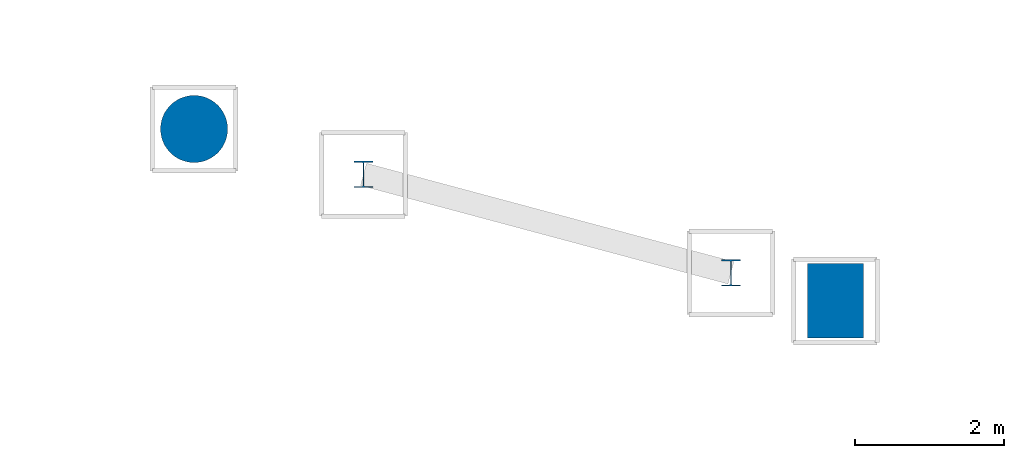
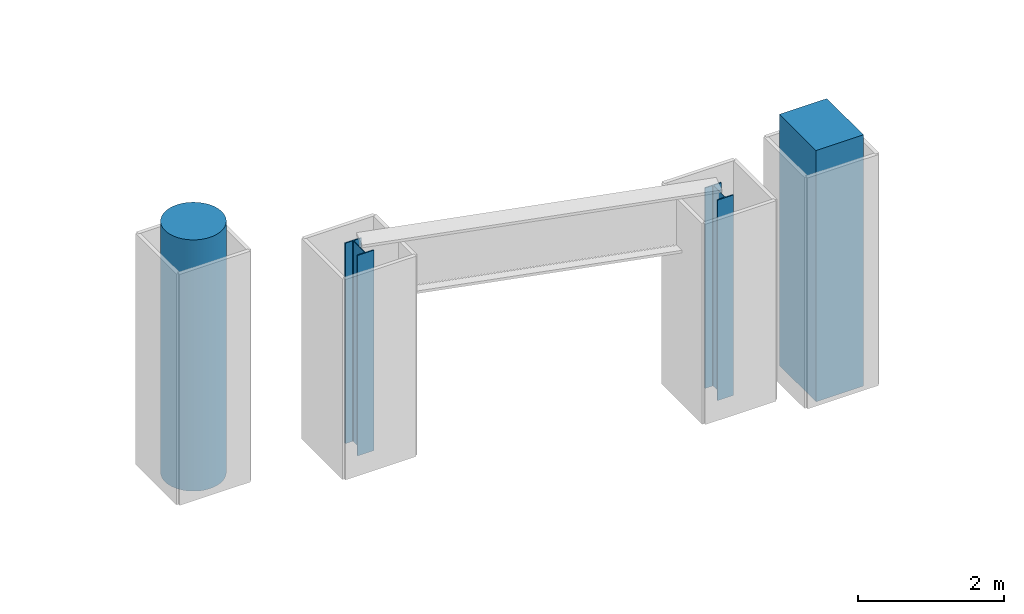
# One storey, part 7 of 128: 4 columns.
"""IFC4 building model written with IfcOpenShell, lengths in metres."""

from ifc_helpers import new_model, si_unit, direction, frame, origin, origin_2d, place, context, subcontext, project, spatial, rectangle, circle, i_section, extrude, material, material_profile, profile_set, type_object, element, save


model = new_model("IFC4")

# Units and contexts
model_context = context("Model", 3, precision=1e-05, world=origin(), true_north=direction((0.0, 1.0)))
body_context = subcontext(model_context, "Body", "Model", "MODEL_VIEW")
ifc_project = project(units=[si_unit("LENGTHUNIT", "METRE"), si_unit("AREAUNIT", "SQUARE_METRE"), si_unit("VOLUMEUNIT", "CUBIC_METRE"), si_unit("PLANEANGLEUNIT", "RADIAN"), si_unit("MASSUNIT", "GRAM", prefix="KILO")], contexts=[model_context])

# Site, building, storey
site_placement = place(None, origin())
site = spatial("IfcSite", under=ifc_project, at=site_placement, CompositionType="ELEMENT")
building_placement = place(site_placement, origin())
building = spatial("IfcBuilding", under=site, at=building_placement, Name="Vespera Passage Community Centre", CompositionType="ELEMENT")
storey_placement = place(building_placement, frame((0.0, 0.0, 4.5)))
storey = spatial("IfcBuildingStorey", under=building, at=storey_placement, Name="L01", CompositionType="ELEMENT", Elevation=4.5)

# Columns
ifc_material_1 = material(Name="Concrete f'c 45 MPa", Category="concrete")
ifc_material_profile_1 = material_profile(ifc_material_1, rectangle(XDim=0.75, YDim=1.0, at=origin_2d()), Name="RC1000X750")
ifc_profile_set_1 = profile_set([ifc_material_profile_1], Name="Concrete f'c 45 MPa")
column_type_1 = type_object("IfcColumnType", Name="COL-RC1000X750E", PredefinedType="COLUMN", material=ifc_profile_set_1)
column_1_placement = place(storey_placement, frame((122.529296875, 53.568359375, 0.0), z_axis=(0.0, 0.0, 1.0), x_axis=(1.0, 0.0, 0.0)))
element("IfcColumn", 1, at=column_1_placement, inside=storey, type_object=column_type_1, Name="L01 Column V4-O23", PredefinedType="COLUMN", context=body_context, shape_type="SweptSolid", body=[
    extrude(rectangle(XDim=0.75, YDim=1.0, at=origin_2d()), origin(), (0.0, 0.0, 1.0), 4.199951171875),
])
ifc_material_2 = material(Name="Concrete f'c 45 MPa", Category="concrete")
ifc_material_profile_2 = material_profile(ifc_material_2, circle(Radius=0.449951171875, at=origin_2d()), Name="RC900DIA")
ifc_profile_set_2 = profile_set([ifc_material_profile_2], Name="Concrete f'c 45 MPa")
column_type_2 = type_object("IfcColumnType", Name="COL-RC900DIAE", PredefinedType="COLUMN", material=ifc_profile_set_2)
column_2_placement = place(storey_placement, frame((113.932373046875, 55.871826171875, 0.0), z_axis=(0.0, 0.0, 1.0), x_axis=(1.0, 0.0, 0.0)))
element("IfcColumn", 2, at=column_2_placement, inside=storey, type_object=column_type_2, Name="L01 Column V4-I23", PredefinedType="COLUMN", context=body_context, shape_type="SweptSolid", body=[
    extrude(circle(Radius=0.449951171875, at=origin_2d()), origin(), (0.0, 0.0, 1.0), 4.199951171875),
])
ifc_material_3 = material(Name="Steel ASTM A992 Grade 50", Category="steel")
ifc_material_profile_3 = material_profile(ifc_material_3, i_section(OverallWidth=0.2548828125, OverallDepth=0.356689453125, WebThickness=0.010498046875, FlangeThickness=0.018310546875, FilletRadius=0.01513671875, at=origin_2d()), Name="W14X68")
ifc_profile_set_3 = profile_set([ifc_material_profile_3], Name="Steel ASTM A992 Grade 50")
column_type_3 = type_object("IfcColumnType", Name="COL-W14X68I", PredefinedType="COLUMN", material=ifc_profile_set_3)
for number, where, z_axis, x_axis, name in (
    (3, (116.202392578125, 55.263671875, 0.0), (0.0, 0.0, 1.0), (1.0, 0.0, 0.0), "L01 Column TRANC-I230"),
    (4, (121.128662109375, 53.943603515625, 0.0), (0.0, 0.0, 1.0), (1.0, 0.0, 0.0), "L01 Column TRANC-O230"),
):
    element("IfcColumn", number, at=place(storey_placement, frame(where, z_axis=z_axis, x_axis=x_axis)), inside=storey, type_object=column_type_3, Name=name, PredefinedType="COLUMN", context=body_context, shape_type="SweptSolid", body=[
        extrude(i_section(OverallWidth=0.2548828125, OverallDepth=0.356689453125, WebThickness=0.010498046875, FlangeThickness=0.018310546875, FilletRadius=0.01513671875, at=origin_2d()), origin(), (0.0, 0.0, 1.0), 3.35009765625),
    ])

save(model, "model.ifc")
